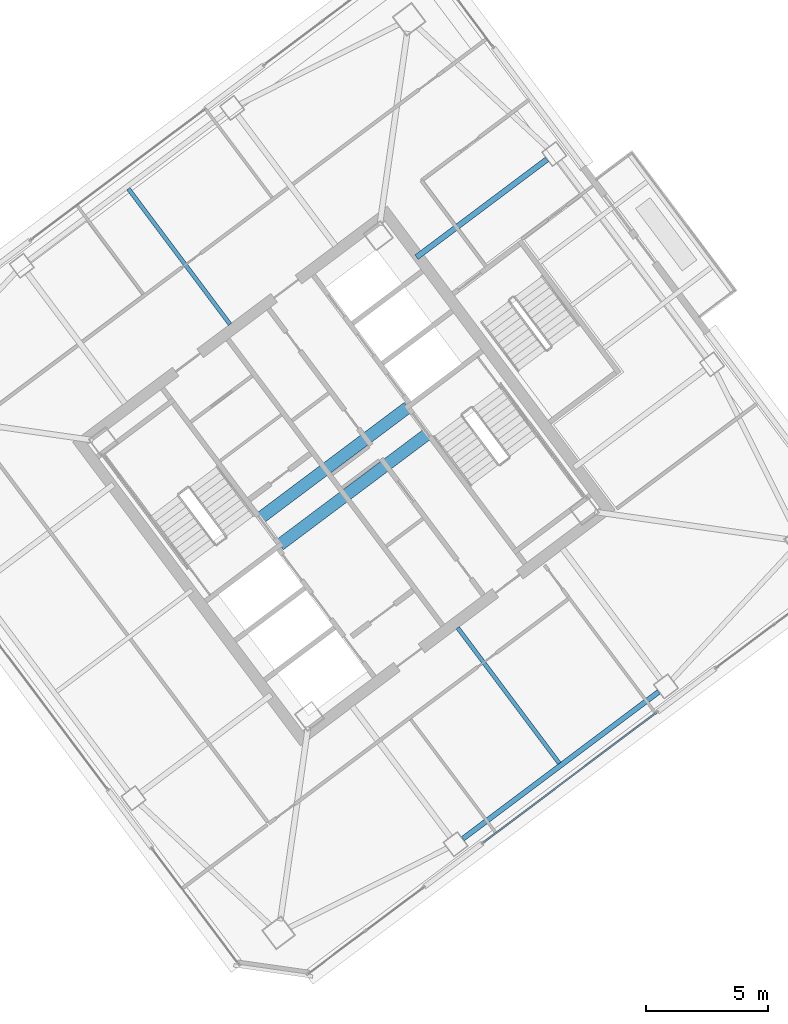
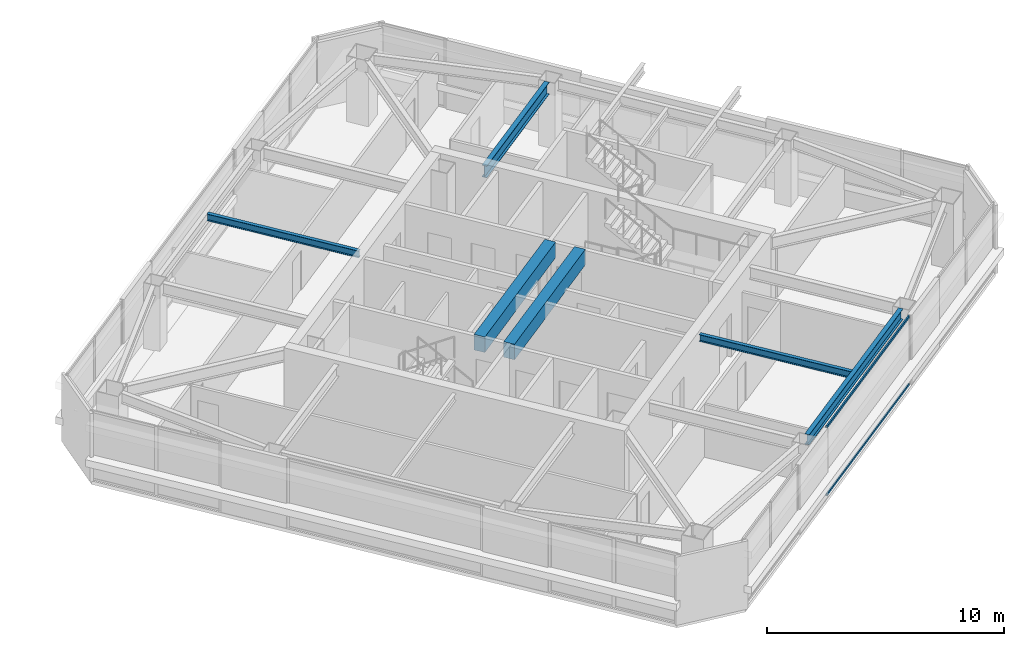
# One storey, part 21 of 39: 6 beams, 2 members, 1 element without a shape of its own.
"""IFC4 building model written with IfcOpenShell, lengths in metres."""

import ifcopenshell
import ifcopenshell.guid

model = None  # the IFC model being written
_history = None  # IfcOwnerHistory: only IFC2X3 demands one
_inside = {}  # id of a spatial element -> (the spatial element, [elements in it])
_under = {}  # id of a project, library or spatial element -> (it, [spatial elements below it])
_declared = {}  # id of a project -> (the project, [libraries it declares])
_typed = {}  # id of a type object -> (the type object, [elements of that type])
_made_of = {}  # id of a material, layer set ... -> (it, [elements and type objects made of it])


def new_model(schema):
    """Start an empty IFC model of exactly this schema.

    Asked for "IFC4X3", IfcOpenShell would pick the latest addendum, in which some entities
    have other attributes; the version numbers below select the first issue.
    IFC2X3 requires an IfcOwnerHistory on every rooted entity: one is made here for all.
    """
    global model, _history
    if schema == "IFC4X3":
        model = ifcopenshell.file(schema_version=(4, 3, 0, 0))
    else:
        model = ifcopenshell.file(schema=schema)
    _inside.clear()
    _under.clear()
    _declared.clear()
    _typed.clear()
    _made_of.clear()
    _history = None
    if model.schema == "IFC2X3":
        org = make("IfcOrganization", Name="unknown")
        user = make(
            "IfcPersonAndOrganization",
            ThePerson=make("IfcPerson", FamilyName="unknown"),
            TheOrganization=org,
        )
        app = make(
            "IfcApplication",
            ApplicationDeveloper=org,
            Version="unknown",
            ApplicationFullName="unknown",
            ApplicationIdentifier="unknown",
        )
        _history = make(
            "IfcOwnerHistory",
            OwningUser=user,
            OwningApplication=app,
            ChangeAction="ADDED",
            CreationDate=0,
        )
    return model


def make(cls, **values):
    """One entity of the class cls with the attributes given. An attribute that is None is left unset."""
    return model.create_entity(
        cls, **{name: value for name, value in values.items() if value is not None}
    )


def rooted(cls, **values):
    """An entity with a GlobalId (a new one), such as an element, a storey or a relation."""
    return make(cls, GlobalId=ifcopenshell.guid.new(), OwnerHistory=_history, **values)


def si_unit(unit_type, name, prefix=None):
    """IfcSIUnit, for example si_unit("LENGTHUNIT", "METRE", prefix="MILLI")."""
    return make("IfcSIUnit", UnitType=unit_type, Prefix=prefix, Name=name)


def assignment(units):
    """IfcUnitAssignment: the units of a project."""
    return None if units is None else make("IfcUnitAssignment", Units=units)


def point(xyz):
    """IfcCartesianPoint."""
    return None if xyz is None else make("IfcCartesianPoint", Coordinates=xyz)


def direction(xyz):
    """IfcDirection."""
    return None if xyz is None else make("IfcDirection", DirectionRatios=xyz)


def frame(location, z_axis=None, x_axis=None):
    """IfcAxis2Placement3D, a coordinate frame: its origin and axes. An axis left out is left unset."""
    return make(
        "IfcAxis2Placement3D",
        Location=point(location),
        Axis=direction(z_axis),
        RefDirection=direction(x_axis),
    )


def frame_2d(location, x_axis=None):
    """IfcAxis2Placement2D, a coordinate frame in the plane: its origin and x axis."""
    return make(
        "IfcAxis2Placement2D", Location=point(location), RefDirection=direction(x_axis)
    )


def origin():
    """The frame at (0, 0, 0) with its axes left unset."""
    return frame((0.0, 0.0, 0.0))


def origin_2d():
    """The frame at (0, 0) in the plane with its x axis left unset."""
    return frame_2d((0.0, 0.0))


def place(relative_to, where):
    """IfcLocalPlacement: puts the frame where relative to a parent placement (None: the world)."""
    return make(
        "IfcLocalPlacement", PlacementRelTo=relative_to, RelativePlacement=where
    )


def context(
    kind, dimensions, precision=None, world=None, true_north=None, identifier=None
):
    """IfcGeometricRepresentationContext, for example the 3D "Model" context."""
    return make(
        "IfcGeometricRepresentationContext",
        ContextIdentifier=identifier,
        ContextType=kind,
        CoordinateSpaceDimension=dimensions,
        Precision=precision,
        WorldCoordinateSystem=world,
        TrueNorth=true_north,
    )


def subcontext(parent, identifier, kind, view, scale=None):
    """IfcGeometricRepresentationSubContext, for example "Body" below "Model"."""
    return make(
        "IfcGeometricRepresentationSubContext",
        ContextIdentifier=identifier,
        ContextType=kind,
        ParentContext=parent,
        TargetScale=scale,
        TargetView=view,
    )


def project(units=None, contexts=None):
    """IfcProject with its units and contexts."""
    return rooted(
        "IfcProject",
        Name="project",
        RepresentationContexts=contexts,
        UnitsInContext=assignment(units),
    )


def spatial(cls, under=None, at=None, **own):
    """A site, building, storey or space (cls), placed at a placement, below another one or the project."""
    s = rooted(cls, ObjectPlacement=at, **own)
    if under is not None:
        _under.setdefault(under.id(), (under, []))[1].append(s)
    return s


def profile(cls, at=None, kind="AREA", **sizes):
    """A parametric profile (cls). Its sizes go by their IFC names, for example OverallWidth=200.0."""
    return make(cls, ProfileType=kind, Position=at, **sizes)


def rectangle(**sizes):
    """IfcRectangleProfileDef."""
    return profile("IfcRectangleProfileDef", **sizes)


def hollow_rectangle(**sizes):
    """IfcRectangleHollowProfileDef."""
    return profile("IfcRectangleHollowProfileDef", **sizes)


def i_section(**sizes):
    """IfcIShapeProfileDef."""
    return profile("IfcIShapeProfileDef", **sizes)


def extrude(swept, where, along, depth):
    """IfcExtrudedAreaSolid: the profile swept, set in the frame where, extruded along a direction by depth."""
    return make(
        "IfcExtrudedAreaSolid",
        SweptArea=swept,
        Position=where,
        ExtrudedDirection=direction(along),
        Depth=depth,
    )


def shape(context_of_items, identifier, shape_type, items):
    """IfcShapeRepresentation: the items that make up one representation, for example the "Body"."""
    return make(
        "IfcShapeRepresentation",
        ContextOfItems=context_of_items,
        RepresentationIdentifier=identifier,
        RepresentationType=shape_type,
        Items=items,
    )


def material(Name=None, Category=None):
    """IfcMaterial."""
    return make("IfcMaterial", Name=Name, Category=Category)


def material_profile(
    of_material, cross_section, Name=None, Category=None, Priority=None
):
    """IfcMaterialProfile: a cross section and its material."""
    return make(
        "IfcMaterialProfile",
        Name=Name,
        Material=of_material,
        Profile=cross_section,
        Priority=Priority,
        Category=Category,
    )


def profile_set(profiles, Name=None, composite=None):
    """IfcMaterialProfileSet."""
    return make(
        "IfcMaterialProfileSet",
        Name=Name,
        MaterialProfiles=profiles,
        CompositeProfile=composite,
    )


def made_of(thing, what):
    """Note that an element or type object is made of a material, layer set ...; save() writes the relation."""
    if what is not None:
        _made_of.setdefault(what.id(), (what, []))[1].append(thing)
    return thing


def type_object(cls, material=None, **own):
    """A type object (cls), such as IfcWallType, which elements share."""
    return made_of(rooted(cls, **own), material)


def element(
    cls,
    number,
    at=None,
    inside=None,
    cuts=None,
    type_object=None,
    material=None,
    context=None,
    identifier="Body",
    shape_type=None,
    held_by="IfcProductDefinitionShape",
    body=None,
    shapes=None,
    **own,
):
    """One element of the class cls, such as IfcWall. Its Tag is "e" and its number.

    at: its placement. inside: the storey or other place that contains it. cuts: it is an
    opening in that element (IfcRelVoidsElement). A single representation is given by context,
    identifier, shape_type and body (its items); several are given by shapes. held_by: the class
    of the entity that holds the representations. save() writes the other relations.
    """
    e = rooted(cls, Tag="e%d" % number, ObjectPlacement=at, **own)
    if body is not None:
        shapes = [shape(context, identifier, shape_type, body)]
    if shapes is not None:
        e.Representation = make(held_by, Representations=shapes)
    if inside is not None:
        _inside.setdefault(inside.id(), (inside, []))[1].append(e)
    if cuts is not None:
        rooted(
            "IfcRelVoidsElement", RelatingBuildingElement=cuts, RelatedOpeningElement=e
        )
    if type_object is not None:
        _typed.setdefault(type_object.id(), (type_object, []))[1].append(e)
    return made_of(e, material)


def aggregate(whole, parts):
    """IfcRelAggregates: a whole, such as a stair, and the parts it consists of."""
    return rooted("IfcRelAggregates", RelatingObject=whole, RelatedObjects=parts)


def save(model, path):
    """Write the relations noted so far, then the file.

    IfcRelAggregates (storeys below a building ...), IfcRelContainedInSpatialStructure (elements
    in a storey), IfcRelDefinesByType, IfcRelAssociatesMaterial and IfcRelDeclares: one each for
    every whole, place, type object, material and project.
    """
    for whole, parts in _under.values():
        aggregate(whole, parts)
    for where, things in _inside.values():
        rooted(
            "IfcRelContainedInSpatialStructure",
            RelatedElements=things,
            RelatingStructure=where,
        )
    for kind, things in _typed.values():
        rooted("IfcRelDefinesByType", RelatedObjects=things, RelatingType=kind)
    for what, things in _made_of.values():
        rooted("IfcRelAssociatesMaterial", RelatedObjects=things, RelatingMaterial=what)
    for by, libraries in _declared.values():
        rooted("IfcRelDeclares", RelatingContext=by, RelatedDefinitions=libraries)
    model.write(path)


model = new_model("IFC4")

# Units and contexts
model_context = context("Model", 3, precision=1e-05, world=origin(), true_north=direction((0.0, 1.0)))
body_context = subcontext(model_context, "Body", "Model", "MODEL_VIEW")
ifc_project = project(units=[si_unit("LENGTHUNIT", "METRE"), si_unit("AREAUNIT", "SQUARE_METRE"), si_unit("VOLUMEUNIT", "CUBIC_METRE"), si_unit("PLANEANGLEUNIT", "RADIAN"), si_unit("MASSUNIT", "GRAM", prefix="KILO")], contexts=[model_context])

# Site, building, storey
site_placement = place(None, origin())
site = spatial("IfcSite", under=ifc_project, at=site_placement, CompositionType="ELEMENT")
building_placement = place(site_placement, origin())
building = spatial("IfcBuilding", under=site, at=building_placement, Name="Tashvorn Skyway Center", CompositionType="ELEMENT")
storey_placement = place(building_placement, frame((0.0, 0.0, 214.85009765625)))
storey = spatial("IfcBuildingStorey", under=building, at=storey_placement, Name="L58", CompositionType="ELEMENT", Elevation=214.85009765625)

# Beams
ifc_material_1 = material(Name="Steel ASTM A992 Grade 50", Category="steel")
ifc_material_profile_1 = material_profile(ifc_material_1, i_section(OverallWidth=0.22998046875, OverallDepth=0.616943359375, WebThickness=0.01318359375, FlangeThickness=0.022216796875, at=origin_2d()), Name="W24X94")
ifc_profile_set_1 = profile_set([ifc_material_profile_1], Name="Steel ASTM A992 Grade 50")
beam_type_1 = type_object("IfcBeamType", Name="BM-BEAM-W24X94", PredefinedType="BEAM", material=ifc_profile_set_1)
beam_1_placement = place(storey_placement, frame((122.343994140625, 45.008056640625, 3.0615234375), z_axis=(-0.800004372583, -0.599994169845, 0.0), x_axis=(0.599994169845, -0.800004372583, 0.0)))
element("IfcBeam", 1, at=beam_1_placement, inside=storey, type_object=beam_type_1, Name="Tower 2 L58 Primary Floor Girder FC-E2", PredefinedType="BEAM", context=body_context, shape_type="SweptSolid", body=[
    extrude(i_section(OverallWidth=0.22998046875, OverallDepth=0.616943359375, WebThickness=0.01318359375, FlangeThickness=0.022216796875, at=origin_2d()), origin(), (0.0, 0.0, 1.0), 6.7001953125),
])
ifc_material_profile_2 = material_profile(ifc_material_1, i_section(OverallWidth=0.1708984375, OverallDepth=0.35498046875, WebThickness=0.007080078125, FlangeThickness=0.01171875, at=origin_2d()), Name="W14X34")
ifc_profile_set_2 = profile_set([ifc_material_profile_2], Name="Steel ASTM A992 Grade 50")
beam_type_2 = type_object("IfcBeamType", Name="BM-JOIST-W14X34", PredefinedType="JOIST", material=ifc_profile_set_2)
for number, where, z_axis, x_axis, name in (
    (2, (118.674072265625, 25.76806640625, 3.1923828125), (0.599994389612, -0.800004207761, 0.0), (0.800004207761, 0.599994389612, 0.0), "Tower 2 L58 Secondary Composite Joist JS"),
    (3, (109.325927734375, 38.23193359375, 3.1923828125), (-0.599994389612, 0.800004207761, 0.0), (-0.800004207761, -0.599994389612, 0.0), "Tower 2 L58 Secondary Composite Joist JN"),
):
    element("IfcBeam", number, at=place(storey_placement, frame(where, z_axis=z_axis, x_axis=x_axis)), inside=storey, type_object=beam_type_2, Name=name, PredefinedType="JOIST", context=body_context, shape_type="SweptSolid", body=[
        extrude(i_section(OverallWidth=0.1708984375, OverallDepth=0.35498046875, WebThickness=0.007080078125, FlangeThickness=0.01171875, at=origin_2d()), origin(), (0.0, 0.0, 1.0), 6.962646484375),
    ])
ifc_material_2 = material(Name="Concrete C50/60", Category="concrete")
ifc_material_profile_3 = material_profile(ifc_material_2, rectangle(XDim=0.5, YDim=0.800048828125, at=origin_2d()), Name="RCB500x800")
ifc_profile_set_3 = profile_set([ifc_material_profile_3], Name="Concrete C50/60")
beam_type_3 = type_object("IfcBeamType", Name="BM-LINTEL-RCB500x800", PredefinedType="LINTEL", material=ifc_profile_set_3)
for number, where, z_axis, x_axis, name in (
    (4, (110.552001953125, 30.263916015625, 2.969970703125), (0.8, 0.6, 0.0), (-0.6, 0.8, 0.0), "Tower 2 L58 Core Coupling Beam CN"),
    (5, (111.367919921875, 29.176025390625, 2.969970703125), (0.8, 0.6, 0.0), (-0.6, 0.8, 0.0), "Tower 2 L58 Core Coupling Beam CS"),
):
    element("IfcBeam", number, at=place(storey_placement, frame(where, z_axis=z_axis, x_axis=x_axis)), inside=storey, type_object=beam_type_3, Name=name, PredefinedType="LINTEL", context=body_context, shape_type="SweptSolid", body=[
        extrude(rectangle(XDim=0.5, YDim=0.800048828125, at=origin_2d()), origin(), (0.0, 0.0, 1.0), 7.60009765625),
    ])
ifc_material_profile_4 = material_profile(ifc_material_1, i_section(OverallWidth=0.2109375, OverallDepth=0.5390625, WebThickness=0.01171875, FlangeThickness=0.018798828125, at=origin_2d()), Name="W21X73")
ifc_profile_set_4 = profile_set([ifc_material_profile_4], Name="Steel ASTM A992 Grade 50")
beam_type_4 = type_object("IfcBeamType", Name="BM-SPANDREL-W21X73", PredefinedType="SPANDREL", material=ifc_profile_set_4)
beam_2_placement = place(storey_placement, frame((118.885986328125, 17.10205078125, 3.100341796875), z_axis=(0.800008736549, 0.599988351091, 0.0), x_axis=(-0.599988351091, 0.800008736549, 0.0)))
element("IfcBeam", 6, at=beam_2_placement, inside=storey, type_object=beam_type_4, Name="Tower 2 L58 Spandrel Beam 02", PredefinedType="SPANDREL", context=body_context, shape_type="SweptSolid", body=[
    extrude(i_section(OverallWidth=0.2109375, OverallDepth=0.5390625, WebThickness=0.01171875, FlangeThickness=0.018798828125, at=origin_2d()), origin(), (0.0, 0.0, 1.0), 10.06005859375),
])

# Curtain wall, members
ifc_material_3 = material(Name="Thermally broken bronze-anodized aluminium 6063-T6", Category="aluminium")
curtain_wall_type = type_object("IfcCurtainWallType", Name="CW-CW-Z5", PredefinedType="NOTDEFINED", material=ifc_material_3)
curtain_wall_placement = place(storey_placement, origin())
curtain_wall = element("IfcCurtainWall", 7, at=curtain_wall_placement, inside=storey, type_object=curtain_wall_type, Name="Tower 2 L58 South Unitised Curtain Wall Glazing Group 2", PredefinedType="NOTDEFINED")
ifc_material_profile_5 = material_profile(ifc_material_3, hollow_rectangle(XDim=0.070068359375, YDim=0.114990234375, WallThickness=0.00390625, at=origin_2d()), Name="ALU-TRAN-70x115")
ifc_profile_set_5 = profile_set([ifc_material_profile_5], Name="Thermally broken bronze-anodized aluminium 6063-T6")
member_type = type_object("IfcMemberType", Name="CWT-CW-Z5", PredefinedType="USERDEFINED", material=ifc_profile_set_5)
member_1_placement = place(storey_placement, frame((126.82666015625, 22.27001953125, 0.034912109375), z_axis=(-0.799996688401, -0.600004415441, 0.0), x_axis=(0.600004415441, -0.799996688401, 0.0)))
member_1 = element("IfcMember", 8, at=member_1_placement, type_object=member_type, Name="CW-Z5 transom 1.1", ObjectType="TRANSOM", PredefinedType="USERDEFINED", context=body_context, shape_type="SweptSolid", body=[
    extrude(hollow_rectangle(XDim=0.070068359375, YDim=0.114990234375, WallThickness=0.00390625, at=origin_2d()), origin(), (0.0, 0.0, 1.0), 8.8466796875),
])
member_2_placement = place(storey_placement, frame((126.82666015625, 22.27001953125, 3.514892578125), z_axis=(-0.799996688401, -0.600004415441, 0.0), x_axis=(0.600004415441, -0.799996688401, 0.0)))
member_2 = element("IfcMember", 9, at=member_2_placement, type_object=member_type, Name="CW-Z5 transom 1.2", ObjectType="TRANSOM", PredefinedType="USERDEFINED", context=body_context, shape_type="SweptSolid", body=[
    extrude(hollow_rectangle(XDim=0.070068359375, YDim=0.114990234375, WallThickness=0.00390625, at=origin_2d()), origin(), (0.0, 0.0, 1.0), 8.8466796875),
])
aggregate(curtain_wall, [member_1, member_2])

save(model, "model.ifc")
